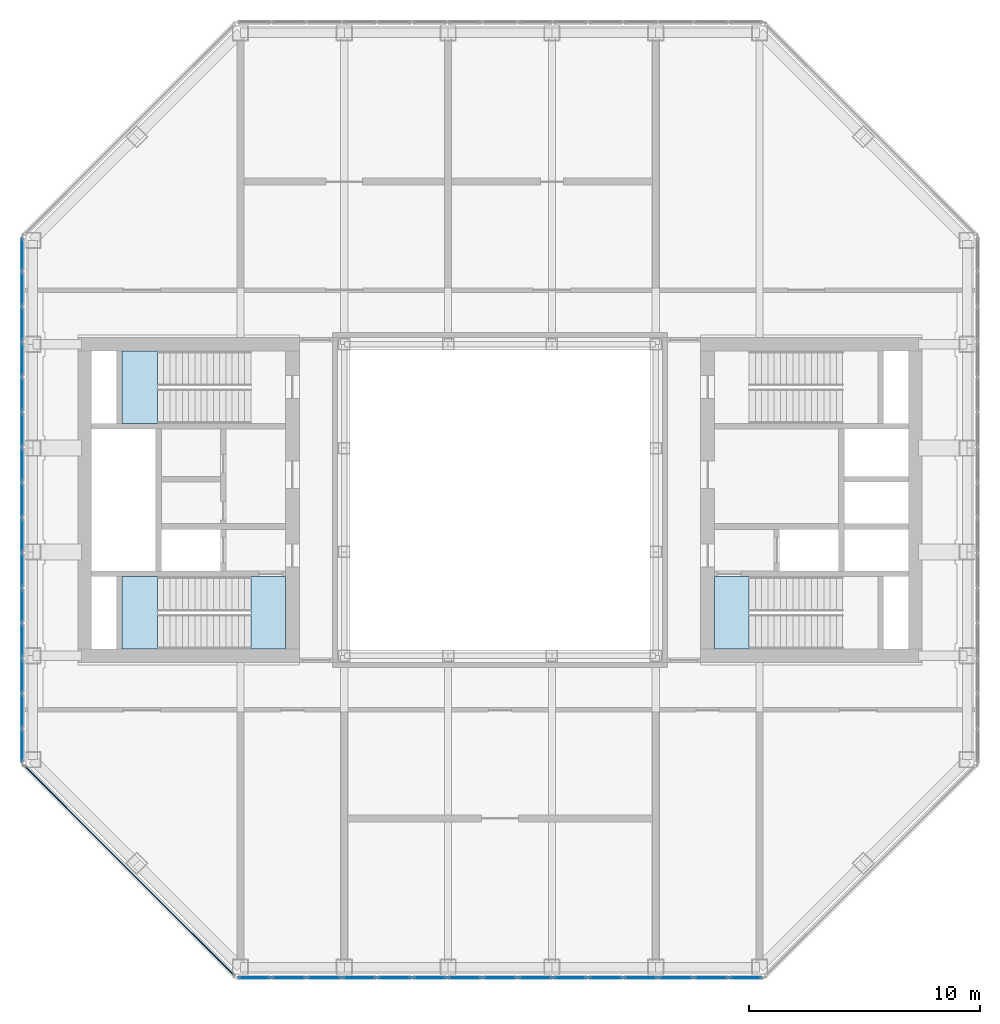
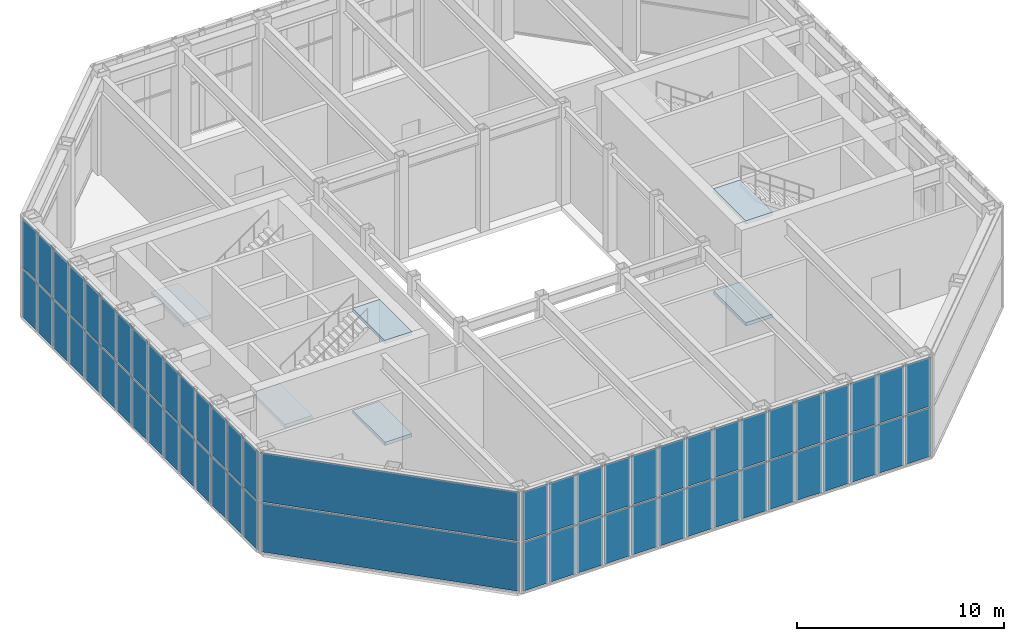
# One storey, part 7 of 12: 62 plates, 6 slabs, 6 elements without a shape of their own.
"""IFC4 building model written with IfcOpenShell, lengths in metres."""

import ifcopenshell
import ifcopenshell.guid

model = None  # the IFC model being written
_history = None  # IfcOwnerHistory: only IFC2X3 demands one
_inside = {}  # id of a spatial element -> (the spatial element, [elements in it])
_under = {}  # id of a project, library or spatial element -> (it, [spatial elements below it])
_declared = {}  # id of a project -> (the project, [libraries it declares])
_typed = {}  # id of a type object -> (the type object, [elements of that type])
_made_of = {}  # id of a material, layer set ... -> (it, [elements and type objects made of it])


def new_model(schema):
    """Start an empty IFC model of exactly this schema.

    Asked for "IFC4X3", IfcOpenShell would pick the latest addendum, in which some entities
    have other attributes; the version numbers below select the first issue.
    IFC2X3 requires an IfcOwnerHistory on every rooted entity: one is made here for all.
    """
    global model, _history
    if schema == "IFC4X3":
        model = ifcopenshell.file(schema_version=(4, 3, 0, 0))
    else:
        model = ifcopenshell.file(schema=schema)
    _inside.clear()
    _under.clear()
    _declared.clear()
    _typed.clear()
    _made_of.clear()
    _history = None
    if model.schema == "IFC2X3":
        org = make("IfcOrganization", Name="unknown")
        user = make(
            "IfcPersonAndOrganization",
            ThePerson=make("IfcPerson", FamilyName="unknown"),
            TheOrganization=org,
        )
        app = make(
            "IfcApplication",
            ApplicationDeveloper=org,
            Version="unknown",
            ApplicationFullName="unknown",
            ApplicationIdentifier="unknown",
        )
        _history = make(
            "IfcOwnerHistory",
            OwningUser=user,
            OwningApplication=app,
            ChangeAction="ADDED",
            CreationDate=0,
        )
    return model


def make(cls, **values):
    """One entity of the class cls with the attributes given. An attribute that is None is left unset."""
    return model.create_entity(
        cls, **{name: value for name, value in values.items() if value is not None}
    )


def rooted(cls, **values):
    """An entity with a GlobalId (a new one), such as an element, a storey or a relation."""
    return make(cls, GlobalId=ifcopenshell.guid.new(), OwnerHistory=_history, **values)


def si_unit(unit_type, name, prefix=None):
    """IfcSIUnit, for example si_unit("LENGTHUNIT", "METRE", prefix="MILLI")."""
    return make("IfcSIUnit", UnitType=unit_type, Prefix=prefix, Name=name)


def assignment(units):
    """IfcUnitAssignment: the units of a project."""
    return None if units is None else make("IfcUnitAssignment", Units=units)


def point(xyz):
    """IfcCartesianPoint."""
    return None if xyz is None else make("IfcCartesianPoint", Coordinates=xyz)


def direction(xyz):
    """IfcDirection."""
    return None if xyz is None else make("IfcDirection", DirectionRatios=xyz)


def frame(location, z_axis=None, x_axis=None):
    """IfcAxis2Placement3D, a coordinate frame: its origin and axes. An axis left out is left unset."""
    return make(
        "IfcAxis2Placement3D",
        Location=point(location),
        Axis=direction(z_axis),
        RefDirection=direction(x_axis),
    )


def frame_2d(location, x_axis=None):
    """IfcAxis2Placement2D, a coordinate frame in the plane: its origin and x axis."""
    return make(
        "IfcAxis2Placement2D", Location=point(location), RefDirection=direction(x_axis)
    )


def origin():
    """The frame at (0, 0, 0) with its axes left unset."""
    return frame((0.0, 0.0, 0.0))


def origin_2d():
    """The frame at (0, 0) in the plane with its x axis left unset."""
    return frame_2d((0.0, 0.0))


def place(relative_to, where):
    """IfcLocalPlacement: puts the frame where relative to a parent placement (None: the world)."""
    return make(
        "IfcLocalPlacement", PlacementRelTo=relative_to, RelativePlacement=where
    )


def context(
    kind, dimensions, precision=None, world=None, true_north=None, identifier=None
):
    """IfcGeometricRepresentationContext, for example the 3D "Model" context."""
    return make(
        "IfcGeometricRepresentationContext",
        ContextIdentifier=identifier,
        ContextType=kind,
        CoordinateSpaceDimension=dimensions,
        Precision=precision,
        WorldCoordinateSystem=world,
        TrueNorth=true_north,
    )


def subcontext(parent, identifier, kind, view, scale=None):
    """IfcGeometricRepresentationSubContext, for example "Body" below "Model"."""
    return make(
        "IfcGeometricRepresentationSubContext",
        ContextIdentifier=identifier,
        ContextType=kind,
        ParentContext=parent,
        TargetScale=scale,
        TargetView=view,
    )


def project(units=None, contexts=None):
    """IfcProject with its units and contexts."""
    return rooted(
        "IfcProject",
        Name="project",
        RepresentationContexts=contexts,
        UnitsInContext=assignment(units),
    )


def spatial(cls, under=None, at=None, **own):
    """A site, building, storey or space (cls), placed at a placement, below another one or the project."""
    s = rooted(cls, ObjectPlacement=at, **own)
    if under is not None:
        _under.setdefault(under.id(), (under, []))[1].append(s)
    return s


def polyline(points):
    """IfcPolyline through the points."""
    return make("IfcPolyline", Points=[point(p) for p in points])


def profile(cls, at=None, kind="AREA", **sizes):
    """A parametric profile (cls). Its sizes go by their IFC names, for example OverallWidth=200.0."""
    return make(cls, ProfileType=kind, Position=at, **sizes)


def rectangle(**sizes):
    """IfcRectangleProfileDef."""
    return profile("IfcRectangleProfileDef", **sizes)


def outline(outer, holes=None, kind="AREA"):
    """IfcArbitraryClosedProfileDef: a profile drawn as a closed curve; with holes, ...WithVoids."""
    if holes is None:
        return make("IfcArbitraryClosedProfileDef", ProfileType=kind, OuterCurve=outer)
    return make(
        "IfcArbitraryProfileDefWithVoids",
        ProfileType=kind,
        OuterCurve=outer,
        InnerCurves=holes,
    )


def extrude(swept, where, along, depth):
    """IfcExtrudedAreaSolid: the profile swept, set in the frame where, extruded along a direction by depth."""
    return make(
        "IfcExtrudedAreaSolid",
        SweptArea=swept,
        Position=where,
        ExtrudedDirection=direction(along),
        Depth=depth,
    )


def shape(context_of_items, identifier, shape_type, items):
    """IfcShapeRepresentation: the items that make up one representation, for example the "Body"."""
    return make(
        "IfcShapeRepresentation",
        ContextOfItems=context_of_items,
        RepresentationIdentifier=identifier,
        RepresentationType=shape_type,
        Items=items,
    )


def material(Name=None, Category=None):
    """IfcMaterial."""
    return make("IfcMaterial", Name=Name, Category=Category)


def layer(
    of_material, thickness, ventilated=None, Name=None, Category=None, Priority=None
):
    """IfcMaterialLayer: one layer of a wall or slab, of a material (None: an air gap)."""
    return make(
        "IfcMaterialLayer",
        Material=of_material,
        LayerThickness=thickness,
        IsVentilated=ventilated,
        Name=Name,
        Category=Category,
        Priority=Priority,
    )


def layer_set(layers, Name=None):
    """IfcMaterialLayerSet."""
    return make("IfcMaterialLayerSet", MaterialLayers=layers, LayerSetName=Name)


def made_of(thing, what):
    """Note that an element or type object is made of a material, layer set ...; save() writes the relation."""
    if what is not None:
        _made_of.setdefault(what.id(), (what, []))[1].append(thing)
    return thing


def type_object(cls, material=None, **own):
    """A type object (cls), such as IfcWallType, which elements share."""
    return made_of(rooted(cls, **own), material)


def element(
    cls,
    number,
    at=None,
    inside=None,
    cuts=None,
    type_object=None,
    material=None,
    context=None,
    identifier="Body",
    shape_type=None,
    held_by="IfcProductDefinitionShape",
    body=None,
    shapes=None,
    **own,
):
    """One element of the class cls, such as IfcWall. Its Tag is "e" and its number.

    at: its placement. inside: the storey or other place that contains it. cuts: it is an
    opening in that element (IfcRelVoidsElement). A single representation is given by context,
    identifier, shape_type and body (its items); several are given by shapes. held_by: the class
    of the entity that holds the representations. save() writes the other relations.
    """
    e = rooted(cls, Tag="e%d" % number, ObjectPlacement=at, **own)
    if body is not None:
        shapes = [shape(context, identifier, shape_type, body)]
    if shapes is not None:
        e.Representation = make(held_by, Representations=shapes)
    if inside is not None:
        _inside.setdefault(inside.id(), (inside, []))[1].append(e)
    if cuts is not None:
        rooted(
            "IfcRelVoidsElement", RelatingBuildingElement=cuts, RelatedOpeningElement=e
        )
    if type_object is not None:
        _typed.setdefault(type_object.id(), (type_object, []))[1].append(e)
    return made_of(e, material)


def aggregate(whole, parts):
    """IfcRelAggregates: a whole, such as a stair, and the parts it consists of."""
    return rooted("IfcRelAggregates", RelatingObject=whole, RelatedObjects=parts)


def save(model, path):
    """Write the relations noted so far, then the file.

    IfcRelAggregates (storeys below a building ...), IfcRelContainedInSpatialStructure (elements
    in a storey), IfcRelDefinesByType, IfcRelAssociatesMaterial and IfcRelDeclares: one each for
    every whole, place, type object, material and project.
    """
    for whole, parts in _under.values():
        aggregate(whole, parts)
    for where, things in _inside.values():
        rooted(
            "IfcRelContainedInSpatialStructure",
            RelatedElements=things,
            RelatingStructure=where,
        )
    for kind, things in _typed.values():
        rooted("IfcRelDefinesByType", RelatedObjects=things, RelatingType=kind)
    for what, things in _made_of.values():
        rooted("IfcRelAssociatesMaterial", RelatedObjects=things, RelatingMaterial=what)
    for by, libraries in _declared.values():
        rooted("IfcRelDeclares", RelatingContext=by, RelatedDefinitions=libraries)
    model.write(path)


model = new_model("IFC4")

# Units and contexts
model_context = context("Model", 3, precision=1e-05, world=origin(), true_north=direction((0.0, 1.0)))
body_context = subcontext(model_context, "Body", "Model", "MODEL_VIEW")
ifc_project = project(units=[si_unit("LENGTHUNIT", "METRE"), si_unit("AREAUNIT", "SQUARE_METRE"), si_unit("VOLUMEUNIT", "CUBIC_METRE"), si_unit("PLANEANGLEUNIT", "RADIAN"), si_unit("MASSUNIT", "GRAM", prefix="KILO")], contexts=[model_context])

# Site, building, storey
site_placement = place(None, origin())
site = spatial("IfcSite", under=ifc_project, at=site_placement, CompositionType="ELEMENT")
building_placement = place(site_placement, origin())
building = spatial("IfcBuilding", under=site, at=building_placement, Name="Msasa Ring Tower", CompositionType="ELEMENT")
storey_placement = place(building_placement, frame((0.0, 0.0, 262.050048828125)))
storey = spatial("IfcBuildingStorey", under=building, at=storey_placement, Name="L68", CompositionType="ELEMENT", Elevation=262.050048828125)

# Curtain wall, plates
ifc_material_1 = material(Name="Aluminium curtain wall with clear glass", Category="aluminium")
curtain_wall_type = type_object("IfcCurtainWallType", Name="CW-L LANTERN CURTAIN WALL", PredefinedType="NOTDEFINED", material=ifc_material_1)
curtain_wall_1_placement = place(storey_placement, origin())
curtain_wall_1 = element("IfcCurtainWall", 1, at=curtain_wall_1_placement, inside=storey, type_object=curtain_wall_type, Name="Lantern curtain wall S L68", PredefinedType="NOTDEFINED")
ifc_material_2 = material(Name="Clear laminated insulating glass unit", Category="glass")
ifc_layer_1 = layer(ifc_material_2, 0.0400390625)
ifc_layer_set_1 = layer_set([ifc_layer_1], Name="CW-L GLASS PANEL 40")
plate_type = type_object("IfcPlateType", Name="CW-L GLASS PANEL 40", PredefinedType="CURTAIN_PANEL", material=ifc_layer_set_1)
plate_1_placement = place(storey_placement, frame((-10.654052734375, -20.699951171875, 0.080078125), z_axis=(0.0, 0.0, 1.0), x_axis=(1.0, 0.0, 0.0)))
plate_1 = element("IfcPlate", 2, at=plate_1_placement, type_object=plate_type, Name="CW-L panel 1.1", PredefinedType="CURTAIN_PANEL", context=body_context, shape_type="SweptSolid", body=[
    extrude(rectangle(XDim=1.40478515625, YDim=0.0400390625, at=origin_2d()), origin(), (0.0, 0.0, 1.0), 2.8798828125),
])
plate_2_placement = place(storey_placement, frame((-10.654052734375, -20.699951171875, 3.0400390625), z_axis=(0.0, 0.0, 1.0), x_axis=(1.0, 0.0, 0.0)))
plate_2 = element("IfcPlate", 3, at=plate_2_placement, type_object=plate_type, Name="CW-L panel 1.2", PredefinedType="CURTAIN_PANEL", context=body_context, shape_type="SweptSolid", body=[
    extrude(rectangle(XDim=1.40478515625, YDim=0.0400390625, at=origin_2d()), origin(), (0.0, 0.0, 1.0), 2.8798828125),
])
plate_3_placement = place(storey_placement, frame((-9.149169921875, -20.699951171875, 0.080078125), z_axis=(0.0, 0.0, 1.0), x_axis=(1.0, 0.0, 0.0)))
plate_3 = element("IfcPlate", 4, at=plate_3_placement, type_object=plate_type, Name="CW-L panel 2.1", PredefinedType="CURTAIN_PANEL", context=body_context, shape_type="SweptSolid", body=[
    extrude(rectangle(XDim=1.44482421875, YDim=0.0400390625, at=origin_2d()), origin(), (0.0, 0.0, 1.0), 2.8798828125),
])
plate_4_placement = place(storey_placement, frame((-9.149169921875, -20.699951171875, 3.0400390625), z_axis=(0.0, 0.0, 1.0), x_axis=(1.0, 0.0, 0.0)))
plate_4 = element("IfcPlate", 5, at=plate_4_placement, type_object=plate_type, Name="CW-L panel 2.2", PredefinedType="CURTAIN_PANEL", context=body_context, shape_type="SweptSolid", body=[
    extrude(rectangle(XDim=1.44482421875, YDim=0.0400390625, at=origin_2d()), origin(), (0.0, 0.0, 1.0), 2.8798828125),
])
plate_5_placement = place(storey_placement, frame((-7.624267578125, -20.699951171875, 0.080078125), z_axis=(0.0, 0.0, 1.0), x_axis=(1.0, 0.0, 0.0)))
plate_5 = element("IfcPlate", 6, at=plate_5_placement, type_object=plate_type, Name="CW-L panel 3.1", PredefinedType="CURTAIN_PANEL", context=body_context, shape_type="SweptSolid", body=[
    extrude(rectangle(XDim=1.44482421875, YDim=0.0400390625, at=origin_2d()), origin(), (0.0, 0.0, 1.0), 2.8798828125),
])
plate_6_placement = place(storey_placement, frame((-7.624267578125, -20.699951171875, 3.0400390625), z_axis=(0.0, 0.0, 1.0), x_axis=(1.0, 0.0, 0.0)))
plate_6 = element("IfcPlate", 7, at=plate_6_placement, type_object=plate_type, Name="CW-L panel 3.2", PredefinedType="CURTAIN_PANEL", context=body_context, shape_type="SweptSolid", body=[
    extrude(rectangle(XDim=1.44482421875, YDim=0.0400390625, at=origin_2d()), origin(), (0.0, 0.0, 1.0), 2.8798828125),
])
plate_7_placement = place(storey_placement, frame((-6.099365234375, -20.699951171875, 0.080078125), z_axis=(0.0, 0.0, 1.0), x_axis=(1.0, 0.0, 0.0)))
plate_7 = element("IfcPlate", 8, at=plate_7_placement, type_object=plate_type, Name="CW-L panel 4.1", PredefinedType="CURTAIN_PANEL", context=body_context, shape_type="SweptSolid", body=[
    extrude(rectangle(XDim=1.44482421875, YDim=0.0400390625, at=origin_2d()), origin(), (0.0, 0.0, 1.0), 2.8798828125),
])
plate_8_placement = place(storey_placement, frame((-6.099365234375, -20.699951171875, 3.0400390625), z_axis=(0.0, 0.0, 1.0), x_axis=(1.0, 0.0, 0.0)))
plate_8 = element("IfcPlate", 9, at=plate_8_placement, type_object=plate_type, Name="CW-L panel 4.2", PredefinedType="CURTAIN_PANEL", context=body_context, shape_type="SweptSolid", body=[
    extrude(rectangle(XDim=1.44482421875, YDim=0.0400390625, at=origin_2d()), origin(), (0.0, 0.0, 1.0), 2.8798828125),
])
plate_9_placement = place(storey_placement, frame((-4.574462890625, -20.699951171875, 0.080078125), z_axis=(0.0, 0.0, 1.0), x_axis=(1.0, 0.0, 0.0)))
plate_9 = element("IfcPlate", 10, at=plate_9_placement, type_object=plate_type, Name="CW-L panel 5.1", PredefinedType="CURTAIN_PANEL", context=body_context, shape_type="SweptSolid", body=[
    extrude(rectangle(XDim=1.44482421875, YDim=0.0400390625, at=origin_2d()), origin(), (0.0, 0.0, 1.0), 2.8798828125),
])
plate_10_placement = place(storey_placement, frame((-4.574462890625, -20.699951171875, 3.0400390625), z_axis=(0.0, 0.0, 1.0), x_axis=(1.0, 0.0, 0.0)))
plate_10 = element("IfcPlate", 11, at=plate_10_placement, type_object=plate_type, Name="CW-L panel 5.2", PredefinedType="CURTAIN_PANEL", context=body_context, shape_type="SweptSolid", body=[
    extrude(rectangle(XDim=1.44482421875, YDim=0.0400390625, at=origin_2d()), origin(), (0.0, 0.0, 1.0), 2.8798828125),
])
plate_11_placement = place(storey_placement, frame((-3.0498046875, -20.699951171875, 0.080078125), z_axis=(0.0, 0.0, 1.0), x_axis=(1.0, 0.0, 0.0)))
plate_11 = element("IfcPlate", 12, at=plate_11_placement, type_object=plate_type, Name="CW-L panel 6.1", PredefinedType="CURTAIN_PANEL", context=body_context, shape_type="SweptSolid", body=[
    extrude(rectangle(XDim=1.44482421875, YDim=0.0400390625, at=origin_2d()), origin(), (0.0, 0.0, 1.0), 2.8798828125),
])
plate_12_placement = place(storey_placement, frame((-3.0498046875, -20.699951171875, 3.0400390625), z_axis=(0.0, 0.0, 1.0), x_axis=(1.0, 0.0, 0.0)))
plate_12 = element("IfcPlate", 13, at=plate_12_placement, type_object=plate_type, Name="CW-L panel 6.2", PredefinedType="CURTAIN_PANEL", context=body_context, shape_type="SweptSolid", body=[
    extrude(rectangle(XDim=1.44482421875, YDim=0.0400390625, at=origin_2d()), origin(), (0.0, 0.0, 1.0), 2.8798828125),
])
plate_13_placement = place(storey_placement, frame((-1.52490234375, -20.699951171875, 0.080078125), z_axis=(0.0, 0.0, 1.0), x_axis=(1.0, 0.0, 0.0)))
plate_13 = element("IfcPlate", 14, at=plate_13_placement, type_object=plate_type, Name="CW-L panel 7.1", PredefinedType="CURTAIN_PANEL", context=body_context, shape_type="SweptSolid", body=[
    extrude(rectangle(XDim=1.44482421875, YDim=0.0400390625, at=origin_2d()), origin(), (0.0, 0.0, 1.0), 2.8798828125),
])
plate_14_placement = place(storey_placement, frame((-1.52490234375, -20.699951171875, 3.0400390625), z_axis=(0.0, 0.0, 1.0), x_axis=(1.0, 0.0, 0.0)))
plate_14 = element("IfcPlate", 15, at=plate_14_placement, type_object=plate_type, Name="CW-L panel 7.2", PredefinedType="CURTAIN_PANEL", context=body_context, shape_type="SweptSolid", body=[
    extrude(rectangle(XDim=1.44482421875, YDim=0.0400390625, at=origin_2d()), origin(), (0.0, 0.0, 1.0), 2.8798828125),
])
plate_15_placement = place(storey_placement, frame((0.0, -20.699951171875, 0.080078125), z_axis=(0.0, 0.0, 1.0), x_axis=(1.0, 0.0, 0.0)))
plate_15 = element("IfcPlate", 16, at=plate_15_placement, type_object=plate_type, Name="CW-L panel 8.1", PredefinedType="CURTAIN_PANEL", context=body_context, shape_type="SweptSolid", body=[
    extrude(rectangle(XDim=1.44482421875, YDim=0.0400390625, at=origin_2d()), origin(), (0.0, 0.0, 1.0), 2.8798828125),
])
plate_16_placement = place(storey_placement, frame((0.0, -20.699951171875, 3.0400390625), z_axis=(0.0, 0.0, 1.0), x_axis=(1.0, 0.0, 0.0)))
plate_16 = element("IfcPlate", 17, at=plate_16_placement, type_object=plate_type, Name="CW-L panel 8.2", PredefinedType="CURTAIN_PANEL", context=body_context, shape_type="SweptSolid", body=[
    extrude(rectangle(XDim=1.44482421875, YDim=0.0400390625, at=origin_2d()), origin(), (0.0, 0.0, 1.0), 2.8798828125),
])
plate_17_placement = place(storey_placement, frame((1.52490234375, -20.699951171875, 0.080078125), z_axis=(0.0, 0.0, 1.0), x_axis=(1.0, 0.0, 0.0)))
plate_17 = element("IfcPlate", 18, at=plate_17_placement, type_object=plate_type, Name="CW-L panel 9.1", PredefinedType="CURTAIN_PANEL", context=body_context, shape_type="SweptSolid", body=[
    extrude(rectangle(XDim=1.44482421875, YDim=0.0400390625, at=origin_2d()), origin(), (0.0, 0.0, 1.0), 2.8798828125),
])
plate_18_placement = place(storey_placement, frame((1.52490234375, -20.699951171875, 3.0400390625), z_axis=(0.0, 0.0, 1.0), x_axis=(1.0, 0.0, 0.0)))
plate_18 = element("IfcPlate", 19, at=plate_18_placement, type_object=plate_type, Name="CW-L panel 9.2", PredefinedType="CURTAIN_PANEL", context=body_context, shape_type="SweptSolid", body=[
    extrude(rectangle(XDim=1.44482421875, YDim=0.0400390625, at=origin_2d()), origin(), (0.0, 0.0, 1.0), 2.8798828125),
])
plate_19_placement = place(storey_placement, frame((3.0498046875, -20.699951171875, 0.080078125), z_axis=(0.0, 0.0, 1.0), x_axis=(1.0, 0.0, 0.0)))
plate_19 = element("IfcPlate", 20, at=plate_19_placement, type_object=plate_type, Name="CW-L panel 10.1", PredefinedType="CURTAIN_PANEL", context=body_context, shape_type="SweptSolid", body=[
    extrude(rectangle(XDim=1.44482421875, YDim=0.0400390625, at=origin_2d()), origin(), (0.0, 0.0, 1.0), 2.8798828125),
])
plate_20_placement = place(storey_placement, frame((3.0498046875, -20.699951171875, 3.0400390625), z_axis=(0.0, 0.0, 1.0), x_axis=(1.0, 0.0, 0.0)))
plate_20 = element("IfcPlate", 21, at=plate_20_placement, type_object=plate_type, Name="CW-L panel 10.2", PredefinedType="CURTAIN_PANEL", context=body_context, shape_type="SweptSolid", body=[
    extrude(rectangle(XDim=1.44482421875, YDim=0.0400390625, at=origin_2d()), origin(), (0.0, 0.0, 1.0), 2.8798828125),
])
plate_21_placement = place(storey_placement, frame((4.574462890625, -20.699951171875, 0.080078125), z_axis=(0.0, 0.0, 1.0), x_axis=(1.0, 0.0, 0.0)))
plate_21 = element("IfcPlate", 22, at=plate_21_placement, type_object=plate_type, Name="CW-L panel 11.1", PredefinedType="CURTAIN_PANEL", context=body_context, shape_type="SweptSolid", body=[
    extrude(rectangle(XDim=1.44482421875, YDim=0.0400390625, at=origin_2d()), origin(), (0.0, 0.0, 1.0), 2.8798828125),
])
plate_22_placement = place(storey_placement, frame((4.574462890625, -20.699951171875, 3.0400390625), z_axis=(0.0, 0.0, 1.0), x_axis=(1.0, 0.0, 0.0)))
plate_22 = element("IfcPlate", 23, at=plate_22_placement, type_object=plate_type, Name="CW-L panel 11.2", PredefinedType="CURTAIN_PANEL", context=body_context, shape_type="SweptSolid", body=[
    extrude(rectangle(XDim=1.44482421875, YDim=0.0400390625, at=origin_2d()), origin(), (0.0, 0.0, 1.0), 2.8798828125),
])
plate_23_placement = place(storey_placement, frame((6.099365234375, -20.699951171875, 0.080078125), z_axis=(0.0, 0.0, 1.0), x_axis=(1.0, 0.0, 0.0)))
plate_23 = element("IfcPlate", 24, at=plate_23_placement, type_object=plate_type, Name="CW-L panel 12.1", PredefinedType="CURTAIN_PANEL", context=body_context, shape_type="SweptSolid", body=[
    extrude(rectangle(XDim=1.44482421875, YDim=0.0400390625, at=origin_2d()), origin(), (0.0, 0.0, 1.0), 2.8798828125),
])
plate_24_placement = place(storey_placement, frame((6.099365234375, -20.699951171875, 3.0400390625), z_axis=(0.0, 0.0, 1.0), x_axis=(1.0, 0.0, 0.0)))
plate_24 = element("IfcPlate", 25, at=plate_24_placement, type_object=plate_type, Name="CW-L panel 12.2", PredefinedType="CURTAIN_PANEL", context=body_context, shape_type="SweptSolid", body=[
    extrude(rectangle(XDim=1.44482421875, YDim=0.0400390625, at=origin_2d()), origin(), (0.0, 0.0, 1.0), 2.8798828125),
])
plate_25_placement = place(storey_placement, frame((7.624267578125, -20.699951171875, 0.080078125), z_axis=(0.0, 0.0, 1.0), x_axis=(1.0, 0.0, 0.0)))
plate_25 = element("IfcPlate", 26, at=plate_25_placement, type_object=plate_type, Name="CW-L panel 13.1", PredefinedType="CURTAIN_PANEL", context=body_context, shape_type="SweptSolid", body=[
    extrude(rectangle(XDim=1.44482421875, YDim=0.0400390625, at=origin_2d()), origin(), (0.0, 0.0, 1.0), 2.8798828125),
])
plate_26_placement = place(storey_placement, frame((7.624267578125, -20.699951171875, 3.0400390625), z_axis=(0.0, 0.0, 1.0), x_axis=(1.0, 0.0, 0.0)))
plate_26 = element("IfcPlate", 27, at=plate_26_placement, type_object=plate_type, Name="CW-L panel 13.2", PredefinedType="CURTAIN_PANEL", context=body_context, shape_type="SweptSolid", body=[
    extrude(rectangle(XDim=1.44482421875, YDim=0.0400390625, at=origin_2d()), origin(), (0.0, 0.0, 1.0), 2.8798828125),
])
plate_27_placement = place(storey_placement, frame((9.149169921875, -20.699951171875, 0.080078125), z_axis=(0.0, 0.0, 1.0), x_axis=(1.0, 0.0, 0.0)))
plate_27 = element("IfcPlate", 28, at=plate_27_placement, type_object=plate_type, Name="CW-L panel 14.1", PredefinedType="CURTAIN_PANEL", context=body_context, shape_type="SweptSolid", body=[
    extrude(rectangle(XDim=1.44482421875, YDim=0.0400390625, at=origin_2d()), origin(), (0.0, 0.0, 1.0), 2.8798828125),
])
plate_28_placement = place(storey_placement, frame((9.149169921875, -20.699951171875, 3.0400390625), z_axis=(0.0, 0.0, 1.0), x_axis=(1.0, 0.0, 0.0)))
plate_28 = element("IfcPlate", 29, at=plate_28_placement, type_object=plate_type, Name="CW-L panel 14.2", PredefinedType="CURTAIN_PANEL", context=body_context, shape_type="SweptSolid", body=[
    extrude(rectangle(XDim=1.44482421875, YDim=0.0400390625, at=origin_2d()), origin(), (0.0, 0.0, 1.0), 2.8798828125),
])
plate_29_placement = place(storey_placement, frame((10.654052734375, -20.699951171875, 0.080078125), z_axis=(0.0, 0.0, 1.0), x_axis=(1.0, 0.0, 0.0)))
plate_29 = element("IfcPlate", 30, at=plate_29_placement, type_object=plate_type, Name="CW-L panel 15.1", PredefinedType="CURTAIN_PANEL", context=body_context, shape_type="SweptSolid", body=[
    extrude(rectangle(XDim=1.40478515625, YDim=0.0400390625, at=origin_2d()), origin(), (0.0, 0.0, 1.0), 2.8798828125),
])
plate_30_placement = place(storey_placement, frame((10.654052734375, -20.699951171875, 3.0400390625), z_axis=(0.0, 0.0, 1.0), x_axis=(1.0, 0.0, 0.0)))
plate_30 = element("IfcPlate", 31, at=plate_30_placement, type_object=plate_type, Name="CW-L panel 15.2", PredefinedType="CURTAIN_PANEL", context=body_context, shape_type="SweptSolid", body=[
    extrude(rectangle(XDim=1.40478515625, YDim=0.0400390625, at=origin_2d()), origin(), (0.0, 0.0, 1.0), 2.8798828125),
])
aggregate(curtain_wall_1, [plate_1, plate_2, plate_3, plate_4, plate_5, plate_6, plate_7, plate_8, plate_9, plate_10, plate_11, plate_12, plate_13, plate_14, plate_15, plate_16, plate_17, plate_18, plate_19, plate_20, plate_21, plate_22, plate_23, plate_24, plate_25, plate_26, plate_27, plate_28, plate_29, plate_30])

curtain_wall_2_placement = place(storey_placement, origin())
curtain_wall_2 = element("IfcCurtainWall", 32, at=curtain_wall_2_placement, inside=storey, type_object=curtain_wall_type, Name="Lantern curtain wall W L68", PredefinedType="NOTDEFINED")
plate_31_placement = place(storey_placement, frame((-20.699951171875, 10.654052734375, 0.080078125), z_axis=(0.0, 0.0, 1.0), x_axis=(0.0, -1.0, 0.0)))
plate_31 = element("IfcPlate", 33, at=plate_31_placement, type_object=plate_type, Name="CW-L panel 1.1", PredefinedType="CURTAIN_PANEL", context=body_context, shape_type="SweptSolid", body=[
    extrude(rectangle(XDim=1.40478515625, YDim=0.0400390625, at=origin_2d()), origin(), (0.0, 0.0, 1.0), 2.8798828125),
])
plate_32_placement = place(storey_placement, frame((-20.699951171875, 10.654052734375, 3.0400390625), z_axis=(0.0, 0.0, 1.0), x_axis=(0.0, -1.0, 0.0)))
plate_32 = element("IfcPlate", 34, at=plate_32_placement, type_object=plate_type, Name="CW-L panel 1.2", PredefinedType="CURTAIN_PANEL", context=body_context, shape_type="SweptSolid", body=[
    extrude(rectangle(XDim=1.40478515625, YDim=0.0400390625, at=origin_2d()), origin(), (0.0, 0.0, 1.0), 2.8798828125),
])
plate_33_placement = place(storey_placement, frame((-20.699951171875, 9.149169921875, 0.080078125), z_axis=(0.0, 0.0, 1.0), x_axis=(0.0, -1.0, 0.0)))
plate_33 = element("IfcPlate", 35, at=plate_33_placement, type_object=plate_type, Name="CW-L panel 2.1", PredefinedType="CURTAIN_PANEL", context=body_context, shape_type="SweptSolid", body=[
    extrude(rectangle(XDim=1.44482421875, YDim=0.0400390625, at=origin_2d()), origin(), (0.0, 0.0, 1.0), 2.8798828125),
])
plate_34_placement = place(storey_placement, frame((-20.699951171875, 9.149169921875, 3.0400390625), z_axis=(0.0, 0.0, 1.0), x_axis=(0.0, -1.0, 0.0)))
plate_34 = element("IfcPlate", 36, at=plate_34_placement, type_object=plate_type, Name="CW-L panel 2.2", PredefinedType="CURTAIN_PANEL", context=body_context, shape_type="SweptSolid", body=[
    extrude(rectangle(XDim=1.44482421875, YDim=0.0400390625, at=origin_2d()), origin(), (0.0, 0.0, 1.0), 2.8798828125),
])
plate_35_placement = place(storey_placement, frame((-20.699951171875, 7.624267578125, 0.080078125), z_axis=(0.0, 0.0, 1.0), x_axis=(0.0, -1.0, 0.0)))
plate_35 = element("IfcPlate", 37, at=plate_35_placement, type_object=plate_type, Name="CW-L panel 3.1", PredefinedType="CURTAIN_PANEL", context=body_context, shape_type="SweptSolid", body=[
    extrude(rectangle(XDim=1.44482421875, YDim=0.0400390625, at=origin_2d()), origin(), (0.0, 0.0, 1.0), 2.8798828125),
])
plate_36_placement = place(storey_placement, frame((-20.699951171875, 7.624267578125, 3.0400390625), z_axis=(0.0, 0.0, 1.0), x_axis=(0.0, -1.0, 0.0)))
plate_36 = element("IfcPlate", 38, at=plate_36_placement, type_object=plate_type, Name="CW-L panel 3.2", PredefinedType="CURTAIN_PANEL", context=body_context, shape_type="SweptSolid", body=[
    extrude(rectangle(XDim=1.44482421875, YDim=0.0400390625, at=origin_2d()), origin(), (0.0, 0.0, 1.0), 2.8798828125),
])
plate_37_placement = place(storey_placement, frame((-20.699951171875, 6.099365234375, 0.080078125), z_axis=(0.0, 0.0, 1.0), x_axis=(0.0, -1.0, 0.0)))
plate_37 = element("IfcPlate", 39, at=plate_37_placement, type_object=plate_type, Name="CW-L panel 4.1", PredefinedType="CURTAIN_PANEL", context=body_context, shape_type="SweptSolid", body=[
    extrude(rectangle(XDim=1.44482421875, YDim=0.0400390625, at=origin_2d()), origin(), (0.0, 0.0, 1.0), 2.8798828125),
])
plate_38_placement = place(storey_placement, frame((-20.699951171875, 6.099365234375, 3.0400390625), z_axis=(0.0, 0.0, 1.0), x_axis=(0.0, -1.0, 0.0)))
plate_38 = element("IfcPlate", 40, at=plate_38_placement, type_object=plate_type, Name="CW-L panel 4.2", PredefinedType="CURTAIN_PANEL", context=body_context, shape_type="SweptSolid", body=[
    extrude(rectangle(XDim=1.44482421875, YDim=0.0400390625, at=origin_2d()), origin(), (0.0, 0.0, 1.0), 2.8798828125),
])
plate_39_placement = place(storey_placement, frame((-20.699951171875, 4.574462890625, 0.080078125), z_axis=(0.0, 0.0, 1.0), x_axis=(0.0, -1.0, 0.0)))
plate_39 = element("IfcPlate", 41, at=plate_39_placement, type_object=plate_type, Name="CW-L panel 5.1", PredefinedType="CURTAIN_PANEL", context=body_context, shape_type="SweptSolid", body=[
    extrude(rectangle(XDim=1.44482421875, YDim=0.0400390625, at=origin_2d()), origin(), (0.0, 0.0, 1.0), 2.8798828125),
])
plate_40_placement = place(storey_placement, frame((-20.699951171875, 4.574462890625, 3.0400390625), z_axis=(0.0, 0.0, 1.0), x_axis=(0.0, -1.0, 0.0)))
plate_40 = element("IfcPlate", 42, at=plate_40_placement, type_object=plate_type, Name="CW-L panel 5.2", PredefinedType="CURTAIN_PANEL", context=body_context, shape_type="SweptSolid", body=[
    extrude(rectangle(XDim=1.44482421875, YDim=0.0400390625, at=origin_2d()), origin(), (0.0, 0.0, 1.0), 2.8798828125),
])
plate_41_placement = place(storey_placement, frame((-20.699951171875, 3.0498046875, 0.080078125), z_axis=(0.0, 0.0, 1.0), x_axis=(0.0, -1.0, 0.0)))
plate_41 = element("IfcPlate", 43, at=plate_41_placement, type_object=plate_type, Name="CW-L panel 6.1", PredefinedType="CURTAIN_PANEL", context=body_context, shape_type="SweptSolid", body=[
    extrude(rectangle(XDim=1.44482421875, YDim=0.0400390625, at=origin_2d()), origin(), (0.0, 0.0, 1.0), 2.8798828125),
])
plate_42_placement = place(storey_placement, frame((-20.699951171875, 3.0498046875, 3.0400390625), z_axis=(0.0, 0.0, 1.0), x_axis=(0.0, -1.0, 0.0)))
plate_42 = element("IfcPlate", 44, at=plate_42_placement, type_object=plate_type, Name="CW-L panel 6.2", PredefinedType="CURTAIN_PANEL", context=body_context, shape_type="SweptSolid", body=[
    extrude(rectangle(XDim=1.44482421875, YDim=0.0400390625, at=origin_2d()), origin(), (0.0, 0.0, 1.0), 2.8798828125),
])
plate_43_placement = place(storey_placement, frame((-20.699951171875, 1.52490234375, 0.080078125), z_axis=(0.0, 0.0, 1.0), x_axis=(0.0, -1.0, 0.0)))
plate_43 = element("IfcPlate", 45, at=plate_43_placement, type_object=plate_type, Name="CW-L panel 7.1", PredefinedType="CURTAIN_PANEL", context=body_context, shape_type="SweptSolid", body=[
    extrude(rectangle(XDim=1.44482421875, YDim=0.0400390625, at=origin_2d()), origin(), (0.0, 0.0, 1.0), 2.8798828125),
])
plate_44_placement = place(storey_placement, frame((-20.699951171875, 1.52490234375, 3.0400390625), z_axis=(0.0, 0.0, 1.0), x_axis=(0.0, -1.0, 0.0)))
plate_44 = element("IfcPlate", 46, at=plate_44_placement, type_object=plate_type, Name="CW-L panel 7.2", PredefinedType="CURTAIN_PANEL", context=body_context, shape_type="SweptSolid", body=[
    extrude(rectangle(XDim=1.44482421875, YDim=0.0400390625, at=origin_2d()), origin(), (0.0, 0.0, 1.0), 2.8798828125),
])
plate_45_placement = place(storey_placement, frame((-20.699951171875, 0.0, 0.080078125), z_axis=(0.0, 0.0, 1.0), x_axis=(0.0, -1.0, 0.0)))
plate_45 = element("IfcPlate", 47, at=plate_45_placement, type_object=plate_type, Name="CW-L panel 8.1", PredefinedType="CURTAIN_PANEL", context=body_context, shape_type="SweptSolid", body=[
    extrude(rectangle(XDim=1.44482421875, YDim=0.0400390625, at=origin_2d()), origin(), (0.0, 0.0, 1.0), 2.8798828125),
])
plate_46_placement = place(storey_placement, frame((-20.699951171875, 0.0, 3.0400390625), z_axis=(0.0, 0.0, 1.0), x_axis=(0.0, -1.0, 0.0)))
plate_46 = element("IfcPlate", 48, at=plate_46_placement, type_object=plate_type, Name="CW-L panel 8.2", PredefinedType="CURTAIN_PANEL", context=body_context, shape_type="SweptSolid", body=[
    extrude(rectangle(XDim=1.44482421875, YDim=0.0400390625, at=origin_2d()), origin(), (0.0, 0.0, 1.0), 2.8798828125),
])
plate_47_placement = place(storey_placement, frame((-20.699951171875, -1.52490234375, 0.080078125), z_axis=(0.0, 0.0, 1.0), x_axis=(0.0, -1.0, 0.0)))
plate_47 = element("IfcPlate", 49, at=plate_47_placement, type_object=plate_type, Name="CW-L panel 9.1", PredefinedType="CURTAIN_PANEL", context=body_context, shape_type="SweptSolid", body=[
    extrude(rectangle(XDim=1.44482421875, YDim=0.0400390625, at=origin_2d()), origin(), (0.0, 0.0, 1.0), 2.8798828125),
])
plate_48_placement = place(storey_placement, frame((-20.699951171875, -1.52490234375, 3.0400390625), z_axis=(0.0, 0.0, 1.0), x_axis=(0.0, -1.0, 0.0)))
plate_48 = element("IfcPlate", 50, at=plate_48_placement, type_object=plate_type, Name="CW-L panel 9.2", PredefinedType="CURTAIN_PANEL", context=body_context, shape_type="SweptSolid", body=[
    extrude(rectangle(XDim=1.44482421875, YDim=0.0400390625, at=origin_2d()), origin(), (0.0, 0.0, 1.0), 2.8798828125),
])
plate_49_placement = place(storey_placement, frame((-20.699951171875, -3.0498046875, 0.080078125), z_axis=(0.0, 0.0, 1.0), x_axis=(0.0, -1.0, 0.0)))
plate_49 = element("IfcPlate", 51, at=plate_49_placement, type_object=plate_type, Name="CW-L panel 10.1", PredefinedType="CURTAIN_PANEL", context=body_context, shape_type="SweptSolid", body=[
    extrude(rectangle(XDim=1.44482421875, YDim=0.0400390625, at=origin_2d()), origin(), (0.0, 0.0, 1.0), 2.8798828125),
])
plate_50_placement = place(storey_placement, frame((-20.699951171875, -3.0498046875, 3.0400390625), z_axis=(0.0, 0.0, 1.0), x_axis=(0.0, -1.0, 0.0)))
plate_50 = element("IfcPlate", 52, at=plate_50_placement, type_object=plate_type, Name="CW-L panel 10.2", PredefinedType="CURTAIN_PANEL", context=body_context, shape_type="SweptSolid", body=[
    extrude(rectangle(XDim=1.44482421875, YDim=0.0400390625, at=origin_2d()), origin(), (0.0, 0.0, 1.0), 2.8798828125),
])
plate_51_placement = place(storey_placement, frame((-20.699951171875, -4.574462890625, 0.080078125), z_axis=(0.0, 0.0, 1.0), x_axis=(0.0, -1.0, 0.0)))
plate_51 = element("IfcPlate", 53, at=plate_51_placement, type_object=plate_type, Name="CW-L panel 11.1", PredefinedType="CURTAIN_PANEL", context=body_context, shape_type="SweptSolid", body=[
    extrude(rectangle(XDim=1.44482421875, YDim=0.0400390625, at=origin_2d()), origin(), (0.0, 0.0, 1.0), 2.8798828125),
])
plate_52_placement = place(storey_placement, frame((-20.699951171875, -4.574462890625, 3.0400390625), z_axis=(0.0, 0.0, 1.0), x_axis=(0.0, -1.0, 0.0)))
plate_52 = element("IfcPlate", 54, at=plate_52_placement, type_object=plate_type, Name="CW-L panel 11.2", PredefinedType="CURTAIN_PANEL", context=body_context, shape_type="SweptSolid", body=[
    extrude(rectangle(XDim=1.44482421875, YDim=0.0400390625, at=origin_2d()), origin(), (0.0, 0.0, 1.0), 2.8798828125),
])
plate_53_placement = place(storey_placement, frame((-20.699951171875, -6.099365234375, 0.080078125), z_axis=(0.0, 0.0, 1.0), x_axis=(0.0, -1.0, 0.0)))
plate_53 = element("IfcPlate", 55, at=plate_53_placement, type_object=plate_type, Name="CW-L panel 12.1", PredefinedType="CURTAIN_PANEL", context=body_context, shape_type="SweptSolid", body=[
    extrude(rectangle(XDim=1.44482421875, YDim=0.0400390625, at=origin_2d()), origin(), (0.0, 0.0, 1.0), 2.8798828125),
])
plate_54_placement = place(storey_placement, frame((-20.699951171875, -6.099365234375, 3.0400390625), z_axis=(0.0, 0.0, 1.0), x_axis=(0.0, -1.0, 0.0)))
plate_54 = element("IfcPlate", 56, at=plate_54_placement, type_object=plate_type, Name="CW-L panel 12.2", PredefinedType="CURTAIN_PANEL", context=body_context, shape_type="SweptSolid", body=[
    extrude(rectangle(XDim=1.44482421875, YDim=0.0400390625, at=origin_2d()), origin(), (0.0, 0.0, 1.0), 2.8798828125),
])
plate_55_placement = place(storey_placement, frame((-20.699951171875, -7.624267578125, 0.080078125), z_axis=(0.0, 0.0, 1.0), x_axis=(0.0, -1.0, 0.0)))
plate_55 = element("IfcPlate", 57, at=plate_55_placement, type_object=plate_type, Name="CW-L panel 13.1", PredefinedType="CURTAIN_PANEL", context=body_context, shape_type="SweptSolid", body=[
    extrude(rectangle(XDim=1.44482421875, YDim=0.0400390625, at=origin_2d()), origin(), (0.0, 0.0, 1.0), 2.8798828125),
])
plate_56_placement = place(storey_placement, frame((-20.699951171875, -7.624267578125, 3.0400390625), z_axis=(0.0, 0.0, 1.0), x_axis=(0.0, -1.0, 0.0)))
plate_56 = element("IfcPlate", 58, at=plate_56_placement, type_object=plate_type, Name="CW-L panel 13.2", PredefinedType="CURTAIN_PANEL", context=body_context, shape_type="SweptSolid", body=[
    extrude(rectangle(XDim=1.44482421875, YDim=0.0400390625, at=origin_2d()), origin(), (0.0, 0.0, 1.0), 2.8798828125),
])
plate_57_placement = place(storey_placement, frame((-20.699951171875, -9.149169921875, 0.080078125), z_axis=(0.0, 0.0, 1.0), x_axis=(0.0, -1.0, 0.0)))
plate_57 = element("IfcPlate", 59, at=plate_57_placement, type_object=plate_type, Name="CW-L panel 14.1", PredefinedType="CURTAIN_PANEL", context=body_context, shape_type="SweptSolid", body=[
    extrude(rectangle(XDim=1.44482421875, YDim=0.0400390625, at=origin_2d()), origin(), (0.0, 0.0, 1.0), 2.8798828125),
])
plate_58_placement = place(storey_placement, frame((-20.699951171875, -9.149169921875, 3.0400390625), z_axis=(0.0, 0.0, 1.0), x_axis=(0.0, -1.0, 0.0)))
plate_58 = element("IfcPlate", 60, at=plate_58_placement, type_object=plate_type, Name="CW-L panel 14.2", PredefinedType="CURTAIN_PANEL", context=body_context, shape_type="SweptSolid", body=[
    extrude(rectangle(XDim=1.44482421875, YDim=0.0400390625, at=origin_2d()), origin(), (0.0, 0.0, 1.0), 2.8798828125),
])
plate_59_placement = place(storey_placement, frame((-20.699951171875, -10.654052734375, 0.080078125), z_axis=(0.0, 0.0, 1.0), x_axis=(0.0, -1.0, 0.0)))
plate_59 = element("IfcPlate", 61, at=plate_59_placement, type_object=plate_type, Name="CW-L panel 15.1", PredefinedType="CURTAIN_PANEL", context=body_context, shape_type="SweptSolid", body=[
    extrude(rectangle(XDim=1.40478515625, YDim=0.0400390625, at=origin_2d()), origin(), (0.0, 0.0, 1.0), 2.8798828125),
])
plate_60_placement = place(storey_placement, frame((-20.699951171875, -10.654052734375, 3.0400390625), z_axis=(0.0, 0.0, 1.0), x_axis=(0.0, -1.0, 0.0)))
plate_60 = element("IfcPlate", 62, at=plate_60_placement, type_object=plate_type, Name="CW-L panel 15.2", PredefinedType="CURTAIN_PANEL", context=body_context, shape_type="SweptSolid", body=[
    extrude(rectangle(XDim=1.40478515625, YDim=0.0400390625, at=origin_2d()), origin(), (0.0, 0.0, 1.0), 2.8798828125),
])
aggregate(curtain_wall_2, [plate_31, plate_32, plate_33, plate_34, plate_35, plate_36, plate_37, plate_38, plate_39, plate_40, plate_41, plate_42, plate_43, plate_44, plate_45, plate_46, plate_47, plate_48, plate_49, plate_50, plate_51, plate_52, plate_53, plate_54, plate_55, plate_56, plate_57, plate_58, plate_59, plate_60])

curtain_wall_3_placement = place(storey_placement, origin())
curtain_wall_3 = element("IfcCurtainWall", 63, at=curtain_wall_3_placement, inside=storey, type_object=curtain_wall_type, Name="Lantern curtain wall SW L68", PredefinedType="NOTDEFINED")
plate_61_placement = place(storey_placement, frame((-16.068115234375, -16.068115234375, 0.080078125), z_axis=(0.0, 0.0, 1.0), x_axis=(0.707106781187, -0.707106781187, 0.0)))
plate_61 = element("IfcPlate", 64, at=plate_61_placement, type_object=plate_type, Name="CW-L panel 1.1", PredefinedType="CURTAIN_PANEL", context=body_context, shape_type="SweptSolid", body=[
    extrude(rectangle(XDim=12.940673828125, YDim=0.0400390625, at=origin_2d()), origin(), (0.0, 0.0, 1.0), 2.8798828125),
])
plate_62_placement = place(storey_placement, frame((-16.068115234375, -16.068115234375, 3.0400390625), z_axis=(0.0, 0.0, 1.0), x_axis=(0.707106781187, -0.707106781187, 0.0)))
plate_62 = element("IfcPlate", 65, at=plate_62_placement, type_object=plate_type, Name="CW-L panel 1.2", PredefinedType="CURTAIN_PANEL", context=body_context, shape_type="SweptSolid", body=[
    extrude(rectangle(XDim=12.940673828125, YDim=0.0400390625, at=origin_2d()), origin(), (0.0, 0.0, 1.0), 2.8798828125),
])
aggregate(curtain_wall_3, [plate_61, plate_62])

# Stair, slabs
ifc_material_3 = material(Name="Concrete C40/50", Category="concrete")
stair_type = type_object("IfcStairType", Name="STC CORE STAIR 32 RISERS 187.5", PredefinedType="HALF_TURN_STAIR", material=ifc_material_3)
stair_1_placement = place(storey_placement, origin())
stair_1 = element("IfcStair", 66, at=stair_1_placement, inside=storey, type_object=stair_type, Name="Core stair SEA L68", PredefinedType="HALF_TURN_STAIR")
ifc_material_4 = material(Name="Concrete C40/50", Category="concrete")
ifc_layer_2 = layer(ifc_material_4, 0.199951171875)
ifc_layer_set_2 = layer_set([ifc_layer_2], Name="LD1 CORE STAIR LANDING 200")
slab_type = type_object("IfcSlabType", Name="LD1 CORE STAIR LANDING 200", PredefinedType="LANDING", material=ifc_layer_set_2)
slab_1_placement = place(storey_placement, frame((0.0, 0.0, -0.199951171875)))
slab_1 = element("IfcSlab", 67, at=slab_1_placement, type_object=slab_type, Name="SEA landing 1", PredefinedType="LANDING", context=body_context, shape_type="SweptSolid", body=[
    extrude(outline(polyline([(9.300048828125, -6.449951171875), (10.800048828125, -6.449951171875), (10.800048828125, -3.324951171875), (9.300048828125, -3.324951171875), (9.300048828125, -6.449951171875)])), origin(), (0.0, 0.0, 1.0), 0.199951171875),
])
slab_2_placement = place(storey_placement, frame((0.0, 0.0, 5.800048828125)))
slab_2 = element("IfcSlab", 68, at=slab_2_placement, type_object=slab_type, Name="SEA landing 3", PredefinedType="LANDING", context=body_context, shape_type="SweptSolid", body=[
    extrude(outline(polyline([(9.300048828125, -6.449951171875), (10.800048828125, -6.449951171875), (10.800048828125, -3.324951171875), (9.300048828125, -3.324951171875), (9.300048828125, -6.449951171875)])), origin(), (0.0, 0.0, 1.0), 0.199951171875),
])
aggregate(stair_1, [slab_1, slab_2])

stair_2_placement = place(storey_placement, origin())
stair_2 = element("IfcStair", 69, at=stair_2_placement, inside=storey, type_object=stair_type, Name="Core stair SWA L68", PredefinedType="HALF_TURN_STAIR")
slab_3_placement = place(storey_placement, frame((0.0, 0.0, -0.199951171875)))
slab_3 = element("IfcSlab", 70, at=slab_3_placement, type_object=slab_type, Name="SWA landing 1", PredefinedType="LANDING", context=body_context, shape_type="SweptSolid", body=[
    extrude(outline(polyline([(-10.800048828125, -6.449951171875), (-9.300048828125, -6.449951171875), (-9.300048828125, -3.324951171875), (-10.800048828125, -3.324951171875), (-10.800048828125, -6.449951171875)])), origin(), (0.0, 0.0, 1.0), 0.199951171875),
])
slab_4_placement = place(storey_placement, frame((0.0, 0.0, 2.800048828125)))
slab_4 = element("IfcSlab", 71, at=slab_4_placement, type_object=slab_type, Name="SWA landing 2", PredefinedType="LANDING", context=body_context, shape_type="SweptSolid", body=[
    extrude(outline(polyline([(-16.375, -6.449951171875), (-14.85009765625, -6.449951171875), (-14.85009765625, -3.324951171875), (-16.375, -3.324951171875), (-16.375, -6.449951171875)])), origin(), (0.0, 0.0, 1.0), 0.199951171875),
])
slab_5_placement = place(storey_placement, frame((0.0, 0.0, 5.800048828125)))
slab_5 = element("IfcSlab", 72, at=slab_5_placement, type_object=slab_type, Name="SWA landing 3", PredefinedType="LANDING", context=body_context, shape_type="SweptSolid", body=[
    extrude(outline(polyline([(-10.800048828125, -6.449951171875), (-9.300048828125, -6.449951171875), (-9.300048828125, -3.324951171875), (-10.800048828125, -3.324951171875), (-10.800048828125, -6.449951171875)])), origin(), (0.0, 0.0, 1.0), 0.199951171875),
])
aggregate(stair_2, [slab_3, slab_4, slab_5])

# Stair, slab
stair_3_placement = place(storey_placement, origin())
stair_3 = element("IfcStair", 73, at=stair_3_placement, inside=storey, type_object=stair_type, Name="Core stair SWB L68", PredefinedType="HALF_TURN_STAIR")
slab_6_placement = place(storey_placement, frame((0.0, 0.0, 2.800048828125)))
slab_6 = element("IfcSlab", 74, at=slab_6_placement, type_object=slab_type, Name="SWB landing 2", PredefinedType="LANDING", context=body_context, shape_type="SweptSolid", body=[
    extrude(outline(polyline([(-16.375, 3.324951171875), (-14.85009765625, 3.324951171875), (-14.85009765625, 6.449951171875), (-16.375, 6.449951171875), (-16.375, 3.324951171875)])), origin(), (0.0, 0.0, 1.0), 0.199951171875),
])
aggregate(stair_3, [slab_6])

save(model, "model.ifc")
